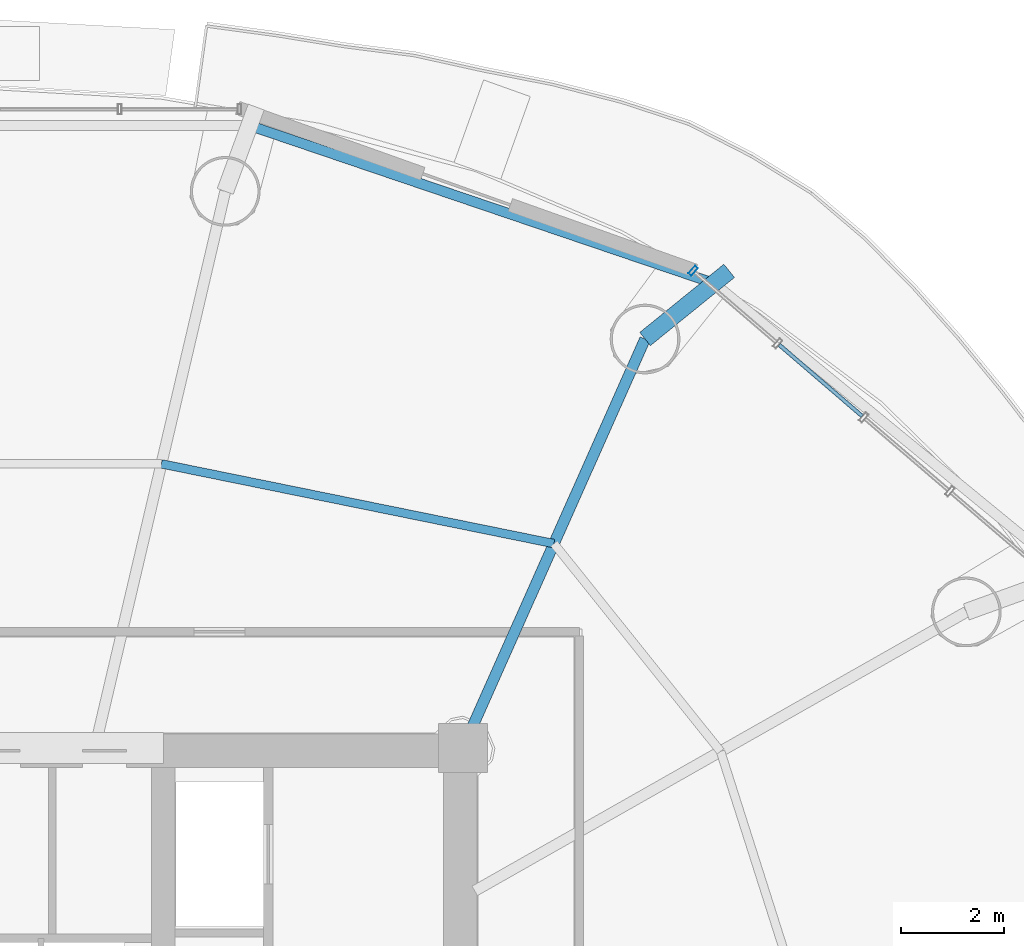
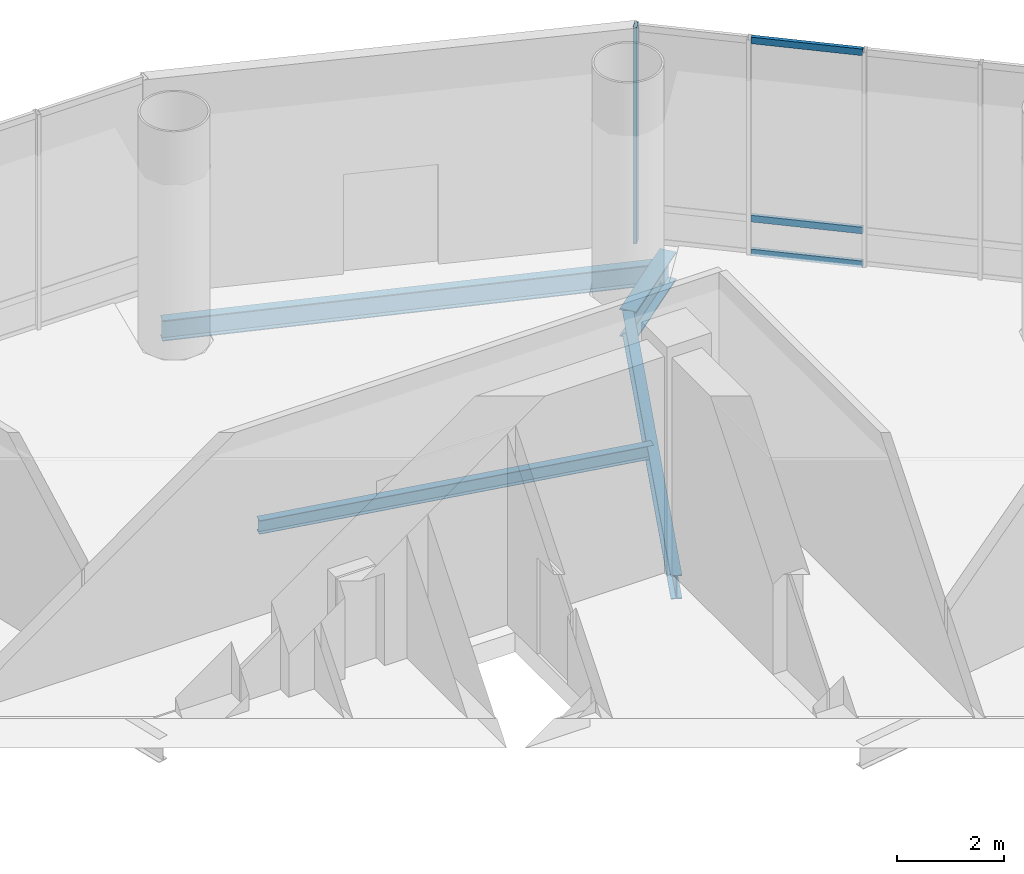
# One storey, part 17 of 29: 4 beams, 4 members, 1 element without a shape of its own.
"""IFC4 building model written with IfcOpenShell, lengths in metres."""

from ifc_helpers import new_model, si_unit, direction, frame, origin, origin_2d, place, context, subcontext, project, spatial, hollow_rectangle, i_section, extrude, source, transform, mapped, material, material_profile, profile_set, type_object, element, aggregate, save


model = new_model("IFC4")

# Units and contexts
model_context = context("Model", 3, precision=1e-05, world=origin(), true_north=direction((-0.2419218956, 0.970295726276)))
body_context = subcontext(model_context, "Body", "Model", "MODEL_VIEW")
ifc_project = project(units=[si_unit("LENGTHUNIT", "METRE"), si_unit("AREAUNIT", "SQUARE_METRE"), si_unit("VOLUMEUNIT", "CUBIC_METRE"), si_unit("PLANEANGLEUNIT", "RADIAN"), si_unit("MASSUNIT", "GRAM", prefix="KILO")], contexts=[model_context])

# Site, building, storey
site_placement = place(None, origin())
site = spatial("IfcSite", under=ifc_project, at=site_placement, CompositionType="ELEMENT")
building_placement = place(site_placement, origin())
building = spatial("IfcBuilding", under=site, at=building_placement, Name="Cobrevalo Terracotta Tower", CompositionType="ELEMENT")
storey_placement = place(building_placement, frame((0.0, 0.0, 130.199951171875)))
storey = spatial("IfcBuildingStorey", under=building, at=storey_placement, Name="L34", CompositionType="ELEMENT", Elevation=130.199951171875)

# Beams
ifc_material_1 = material(Name="Steel S355", Category="steel")
ifc_material_profile_1 = material_profile(ifc_material_1, i_section(OverallWidth=0.2109375, OverallDepth=0.5390625, WebThickness=0.01171875, FlangeThickness=0.018798828125, at=origin_2d()), Name="W 530x109")
ifc_profile_set_1 = profile_set([ifc_material_profile_1], Name="Steel S355")
beam_type_1 = type_object("IfcBeamType", Name="Structural Beam W 530x109 (Steel S355)", PredefinedType="BEAM", material=ifc_profile_set_1)
beam_1_placement = place(storey_placement, frame((50.528076171875, 42.72265625, -0.719482421875), z_axis=(-0.406804395691, -0.913515289224, 0.0), x_axis=(0.913515289224, -0.406804395691, 0.0)))
element("IfcBeam", 1, at=beam_1_placement, inside=storey, type_object=beam_type_1, Name="L34 radial floor girder 03", PredefinedType="BEAM", context=body_context, shape_type="SweptSolid", body=[
    extrude(i_section(OverallWidth=0.2109375, OverallDepth=0.5390625, WebThickness=0.01171875, FlangeThickness=0.018798828125, at=origin_2d()), origin(), (0.0, 0.0, 1.0), 8.672607421875),
])
ifc_material_profile_2 = material_profile(ifc_material_1, i_section(OverallWidth=0.3291015625, OverallDepth=0.635009765625, WebThickness=0.017822265625, FlangeThickness=0.031005859375, at=origin_2d()), Name="W 610x241")
ifc_profile_set_2 = profile_set([ifc_material_profile_2], Name="Steel S355")
beam_type_2 = type_object("IfcBeamType", Name="Structural Beam W 610x241 (Steel S355)", PredefinedType="BEAM", material=ifc_profile_set_2)
beam_2_placement = place(storey_placement, frame((52.15673828125, 44.04296875, -0.767333984375), z_axis=(-0.776808092636, -0.629737395439, 0.0), x_axis=(0.629737395439, -0.776808092636, 0.0)))
element("IfcBeam", 2, at=beam_2_placement, inside=storey, type_object=beam_type_2, Name="L34 setback step-link girder 03", PredefinedType="BEAM", context=body_context, shape_type="SweptSolid", body=[
    extrude(i_section(OverallWidth=0.3291015625, OverallDepth=0.635009765625, WebThickness=0.017822265625, FlangeThickness=0.031005859375, at=origin_2d()), origin(), (0.0, 0.0, 1.0), 2.0966796875),
])
ifc_material_profile_3 = material_profile(ifc_material_1, i_section(OverallWidth=0.1650390625, OverallDepth=0.31005859375, WebThickness=0.005859375, FlangeThickness=0.009765625, at=origin_2d()), Name="W 310x38.7")
ifc_profile_set_3 = profile_set([ifc_material_profile_3], Name="Steel S355")
beam_type_3 = type_object("IfcBeamType", Name="Structural Joist W 310x38.7 (Steel S355)", PredefinedType="JOIST", material=ifc_profile_set_3)
beam_3_placement = place(storey_placement, frame((48.76416015625, 38.76123046875, -0.60498046875), z_axis=(-0.979966973827, 0.199160061782, 0.0), x_axis=(-0.199160061782, -0.979966973827, 0.0)))
element("IfcBeam", 3, at=beam_3_placement, inside=storey, type_object=beam_type_3, Name="L34 circumferential secondary floor joist 03", PredefinedType="JOIST", context=body_context, shape_type="SweptSolid", body=[
    extrude(i_section(OverallWidth=0.1650390625, OverallDepth=0.31005859375, WebThickness=0.005859375, FlangeThickness=0.009765625, at=origin_2d()), origin(), (0.0, 0.0, 1.0), 7.755859375),
])
ifc_material_profile_4 = material_profile(ifc_material_1, i_section(OverallWidth=0.194091796875, OverallDepth=0.468994140625, WebThickness=0.011474609375, FlangeThickness=0.0205078125, at=origin_2d()), Name="W 460x106")
ifc_profile_set_4 = profile_set([ifc_material_profile_4], Name="Steel S355")
beam_type_4 = type_object("IfcBeamType", Name="Structural Spandrel W 460x106 (Steel S355)", PredefinedType="SPANDREL", material=ifc_profile_set_4)
beam_4_placement = place(storey_placement, frame((51.861572265625, 43.803466796875, -0.6845703125), z_axis=(-0.946910528816, 0.32149720126, 0.0), x_axis=(-0.32149720126, -0.946910528816, 0.0)))
element("IfcBeam", 4, at=beam_4_placement, inside=storey, type_object=beam_type_4, Name="L34 perimeter ring spandrel 03", PredefinedType="SPANDREL", context=body_context, shape_type="SweptSolid", body=[
    extrude(i_section(OverallWidth=0.194091796875, OverallDepth=0.468994140625, WebThickness=0.011474609375, FlangeThickness=0.0205078125, at=origin_2d()), origin(), (0.0, 0.0, 1.0), 9.498291015625),
])

# Curtain wall, members
ifc_material_2 = material(Name="Anodized aluminium", Category="aluminium")
curtain_wall_type = type_object("IfcCurtainWallType", Name="Double-height sky-lobby panoramic curtain wall CW-SK", PredefinedType="NOTDEFINED", material=ifc_material_2)
curtain_wall_placement = place(storey_placement, origin())
curtain_wall = element("IfcCurtainWall", 5, at=curtain_wall_placement, inside=storey, type_object=curtain_wall_type, Name="L34 curtain wall CW-SK-L34-S02", PredefinedType="NOTDEFINED")
ifc_material_profile_5 = material_profile(ifc_material_2, hollow_rectangle(XDim=0.074951171875, YDim=0.199951171875, WallThickness=0.0048828125, at=origin_2d()), Name="CWM 75x200")
ifc_profile_set_5 = profile_set([ifc_material_profile_5], Name="Anodized aluminium")
member_type_1 = type_object("IfcMemberType", Name="Lower/mid tower unitised mullion 75x200", PredefinedType="MULLION", material=ifc_profile_set_5)
shared_shape_1 = source(origin(), body_context, "Body", "SweptSolid", [
    extrude(hollow_rectangle(XDim=0.074951171875, YDim=0.199951171875, WallThickness=0.0048828125, at=origin_2d()), origin(), (0.0, 0.0, 1.0), 4.929931640625),
])
member_1_placement = place(storey_placement, frame((51.45849609375, 44.04345703125, 0.0), z_axis=(0.0, 0.0, 1.0), x_axis=(-0.758441546142, 0.65174106905, 0.0)))
member_1 = element("IfcMember", 6, at=member_1_placement, type_object=member_type_1, Name="CW-SK-L34-S02 vertical mullion 05", PredefinedType="MULLION", context=body_context, shape_type="MappedRepresentation", body=[
    mapped(shared_shape_1, transform((0.0, 0.0, 0.0), scale=1.0)),
])
ifc_material_profile_6 = material_profile(ifc_material_2, hollow_rectangle(XDim=0.074951171875, YDim=0.14990234375, WallThickness=0.00439453125, at=origin_2d()), Name="CWT 75x150")
ifc_profile_set_6 = profile_set([ifc_material_profile_6], Name="Anodized aluminium")
member_type_2 = type_object("IfcMemberType", Name="Tower unitised aluminium transom 75x150", PredefinedType="USERDEFINED", material=ifc_profile_set_6)
shared_shape_2 = source(origin(), body_context, "Body", "SweptSolid", [
    extrude(hollow_rectangle(XDim=0.074951171875, YDim=0.14990234375, WallThickness=0.00439453125, at=origin_2d()), origin(), (0.0, 0.0, 1.0), 2.117919921875),
])
member_2_placement = place(storey_placement, frame((54.73193359375, 41.23046875, 0.050048828125), z_axis=(-0.758458654149, 0.651721159659, 0.0), x_axis=(-0.651721159659, -0.758458654149, 0.0)))
member_2 = element("IfcMember", 7, at=member_2_placement, type_object=member_type_2, Name="CW-SK-L34-S02 transom B03-T1", ObjectType="TRANSOM", PredefinedType="USERDEFINED", context=body_context, shape_type="MappedRepresentation", body=[
    mapped(shared_shape_2, transform((0.0, 0.0, 0.0), scale=1.0)),
])
member_3_placement = place(storey_placement, frame((54.73193359375, 41.23046875, 0.820068359375), z_axis=(-0.758458654149, 0.651721159659, 0.0), x_axis=(-0.651721159659, -0.758458654149, 0.0)))
member_3 = element("IfcMember", 8, at=member_3_placement, type_object=member_type_2, Name="CW-SK-L34-S02 transom B03-T2", ObjectType="TRANSOM", PredefinedType="USERDEFINED", context=body_context, shape_type="MappedRepresentation", body=[
    mapped(shared_shape_2, transform((0.0, 0.0, 0.0), scale=1.0)),
])
member_4_placement = place(storey_placement, frame((54.73193359375, 41.23046875, 4.880126953125), z_axis=(-0.758458654149, 0.651721159659, 0.0), x_axis=(-0.651721159659, -0.758458654149, 0.0)))
member_4 = element("IfcMember", 9, at=member_4_placement, type_object=member_type_2, Name="CW-SK-L34-S02 transom B03-T3", ObjectType="TRANSOM", PredefinedType="USERDEFINED", context=body_context, shape_type="MappedRepresentation", body=[
    mapped(shared_shape_2, transform((0.0, 0.0, 0.0), scale=1.0)),
])
aggregate(curtain_wall, [member_1, member_2, member_3, member_4])

save(model, "model.ifc")
